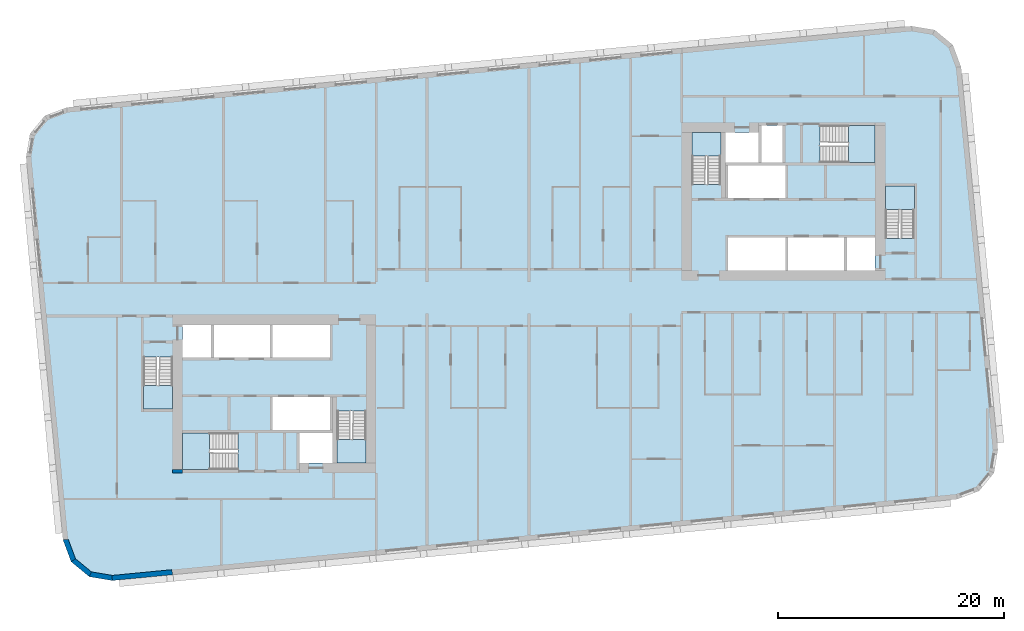
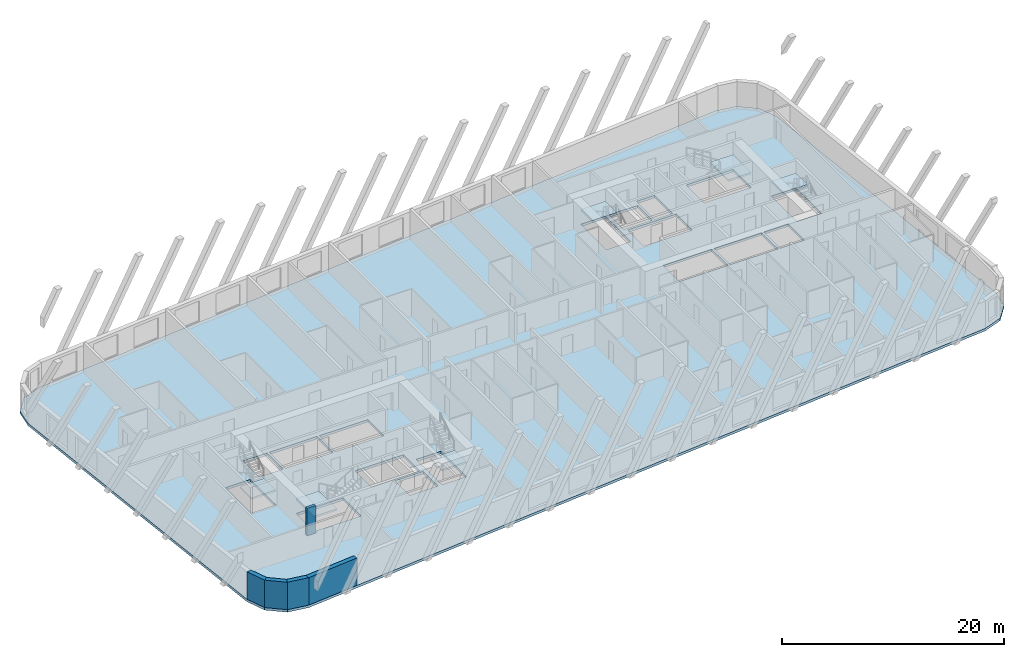
# One storey, part 1 of 13: 7 slabs, 5 walls, 6 elements without a shape of their own.
"""IFC4 building model written with IfcOpenShell, lengths in metres."""

from ifc_helpers import new_model, si_unit, direction, frame, frame_2d, origin, place, context, subcontext, project, spatial, polyline, rectangle, outline, extrude, material, layer, layer_set, type_object, element, aggregate, save


model = new_model("IFC4")

# Units and contexts
model_context = context("Model", 3, precision=1e-05, world=origin(), true_north=direction((0.0, 1.0)))
body_context = subcontext(model_context, "Body", "Model", "MODEL_VIEW")
ifc_project = project(units=[si_unit("LENGTHUNIT", "METRE"), si_unit("AREAUNIT", "SQUARE_METRE"), si_unit("VOLUMEUNIT", "CUBIC_METRE"), si_unit("PLANEANGLEUNIT", "RADIAN"), si_unit("MASSUNIT", "GRAM", prefix="KILO")], contexts=[model_context])

# Site, building, storey
site_placement = place(None, origin())
site = spatial("IfcSite", under=ifc_project, at=site_placement, CompositionType="ELEMENT")
building_placement = place(site_placement, origin())
building = spatial("IfcBuilding", under=site, at=building_placement, Name="Kajstack Hotel Tower", CompositionType="ELEMENT")
storey_placement = place(building_placement, frame((0.0, 0.0, 196.60009765625)))
storey = spatial("IfcBuildingStorey", under=building, at=storey_placement, Name="L47", CompositionType="ELEMENT", Elevation=196.60009765625)

# Slab
ifc_material_1 = material(Name="Concrete C40/50", Category="concrete")
ifc_layer_1 = layer(ifc_material_1, 0.280029296875)
ifc_layer_set_1 = layer_set([ifc_layer_1], Name="RC slab 280 C40/50 guest")
slab_type_1 = type_object("IfcSlabType", Name="RC slab 280 C40/50 guest", PredefinedType="FLOOR", material=ifc_layer_set_1)
slab_1_placement = place(storey_placement, frame((0.0, 0.0, -0.280029296875)))
element("IfcSlab", 1, at=slab_1_placement, inside=storey, type_object=slab_type_1, Name="S-slab-L47", PredefinedType="FLOOR", context=body_context, shape_type="SweptSolid", body=[
    extrude(outline(polyline([(-44.438232421875, 12.444091796875), (-41.1796875, -21.3994140625), (-40.454345703125, -23.3388671875), (-38.856689453125, -24.65576171875), (-36.814697265625, -24.99755859375), (37.840087890625, -17.80908203125), (39.779541015625, -17.083984375), (41.0966796875, -15.486328125), (41.438232421875, -13.444091796875), (38.1796875, 20.3994140625), (37.454345703125, 22.3388671875), (35.856689453125, 23.65576171875), (33.814697265625, 23.99755859375), (-40.840087890625, 16.80908203125), (-42.779541015625, 16.083984375), (-44.0966796875, 14.486328125), (-44.438232421875, 12.444091796875)]), holes=[polyline([(-22.64990234375, -11.699951171875), (-22.64990234375, -8.800048828125), (-17.60009765625, -8.800048828125), (-17.60009765625, -11.699951171875), (-22.64990234375, -11.699951171875)]), polyline([(-27.85009765625, -5.300048828125), (-27.85009765625, -2.39990234375), (-22.89990234375, -2.39990234375), (-22.89990234375, -5.300048828125), (-27.85009765625, -5.300048828125)]), polyline([(-22.64990234375, -5.300048828125), (-22.64990234375, -2.39990234375), (-17.60009765625, -2.39990234375), (-17.60009765625, -5.300048828125), (-22.64990234375, -5.300048828125)]), polyline([(-20.300048828125, -14.60009765625), (-17.35009765625, -14.60009765625), (-17.35009765625, -11.949951171875), (-20.300048828125, -11.949951171875), (-20.300048828125, -14.60009765625)]), polyline([(-30.60009765625, -5.300048828125), (-28.10009765625, -5.300048828125), (-28.10009765625, -2.39990234375), (-30.60009765625, -2.39990234375), (-30.60009765625, -5.300048828125)]), polyline([(17.60009765625, 8.800048828125), (17.60009765625, 11.699951171875), (22.64990234375, 11.699951171875), (22.64990234375, 8.800048828125), (17.60009765625, 8.800048828125)]), polyline([(22.89990234375, 2.39990234375), (22.89990234375, 5.300048828125), (27.85009765625, 5.300048828125), (27.85009765625, 2.39990234375), (22.89990234375, 2.39990234375)]), polyline([(17.60009765625, 2.39990234375), (17.60009765625, 5.300048828125), (22.64990234375, 5.300048828125), (22.64990234375, 2.39990234375), (17.60009765625, 2.39990234375)]), polyline([(20.300048828125, 14.60009765625), (17.35009765625, 14.60009765625), (17.35009765625, 11.949951171875), (20.300048828125, 11.949951171875), (20.300048828125, 14.60009765625)]), polyline([(30.60009765625, 5.300048828125), (28.10009765625, 5.300048828125), (28.10009765625, 2.39990234375), (30.60009765625, 2.39990234375), (30.60009765625, 5.300048828125)]), polyline([(-34.050048828125, -9.85009765625), (-31.5, -9.85009765625), (-31.5, -5.25), (-34.050048828125, -5.25), (-34.050048828125, -9.85009765625)]), polyline([(-16.949951171875, -14.60009765625), (-14.39990234375, -14.60009765625), (-14.39990234375, -10.0), (-16.949951171875, -10.0), (-16.949951171875, -14.60009765625)]), polyline([(-30.60009765625, -15.199951171875), (-25.699951171875, -15.199951171875), (-25.699951171875, -11.949951171875), (-30.60009765625, -11.949951171875), (-30.60009765625, -15.199951171875)]), polyline([(34.050048828125, 9.85009765625), (31.5, 9.85009765625), (31.5, 5.25), (34.050048828125, 5.25), (34.050048828125, 9.85009765625)]), polyline([(16.949951171875, 14.60009765625), (14.39990234375, 14.60009765625), (14.39990234375, 10.0), (16.949951171875, 10.0), (16.949951171875, 14.60009765625)]), polyline([(30.60009765625, 15.199951171875), (25.699951171875, 15.199951171875), (25.699951171875, 11.949951171875), (30.60009765625, 11.949951171875), (30.60009765625, 15.199951171875)]), polyline([(22.425048828125, 15.199951171875), (22.425048828125, 11.949951171875), (20.550048828125, 11.949951171875), (20.550048828125, 15.199951171875), (22.425048828125, 15.199951171875)])]), origin(), (0.0, 0.0, 1.0), 0.280029296875),
])

# Stair, slab
stair_type_1 = type_object("IfcStairType", Name="Exit stair 1200", PredefinedType="HALF_TURN_STAIR", material=ifc_material_1)
stair_1_placement = place(storey_placement, origin())
stair_1 = element("IfcStair", 2, at=stair_1_placement, inside=storey, type_object=stair_type_1, Name="L47 stair W1", PredefinedType="HALF_TURN_STAIR")
ifc_layer_2 = layer(ifc_material_1, 0.199951171875)
ifc_layer_set_2 = layer_set([ifc_layer_2], Name="Stair landing 200")
slab_type_2 = type_object("IfcSlabType", Name="Stair landing 200", PredefinedType="LANDING", material=ifc_layer_set_2)
slab_2_placement = place(storey_placement, frame((0.0, 0.0, 1.449951171875)))
slab_2 = element("IfcSlab", 3, at=slab_2_placement, type_object=slab_type_2, Name="W1 landing 1", PredefinedType="LANDING", context=body_context, shape_type="SweptSolid", body=[
    extrude(outline(polyline([(-34.050048828125, -7.77001953125), (-34.050048828125, -9.85009765625), (-31.5, -9.85009765625), (-31.5, -7.77001953125), (-34.050048828125, -7.77001953125)])), origin(), (0.0, 0.0, 1.0), 0.199951171875),
])
aggregate(stair_1, [slab_2])

stair_2_placement = place(storey_placement, origin())
stair_2 = element("IfcStair", 4, at=stair_2_placement, inside=storey, type_object=stair_type_1, Name="L47 stair W2", PredefinedType="HALF_TURN_STAIR")
slab_3_placement = place(storey_placement, frame((0.0, 0.0, 1.449951171875)))
slab_3 = element("IfcSlab", 5, at=slab_3_placement, type_object=slab_type_2, Name="W2 landing 1", PredefinedType="LANDING", context=body_context, shape_type="SweptSolid", body=[
    extrude(outline(polyline([(-16.949951171875, -12.52001953125), (-16.949951171875, -14.60009765625), (-14.39990234375, -14.60009765625), (-14.39990234375, -12.52001953125), (-16.949951171875, -12.52001953125)])), origin(), (0.0, 0.0, 1.0), 0.199951171875),
])
aggregate(stair_2, [slab_3])

stair_type_2 = type_object("IfcStairType", Name="Exit stair 1500", PredefinedType="HALF_TURN_STAIR", material=ifc_material_1)
stair_3_placement = place(storey_placement, origin())
stair_3 = element("IfcStair", 6, at=stair_3_placement, inside=storey, type_object=stair_type_2, Name="L47 stair W3", PredefinedType="HALF_TURN_STAIR")
slab_4_placement = place(storey_placement, frame((0.0, 0.0, 1.449951171875)))
slab_4 = element("IfcSlab", 7, at=slab_4_placement, type_object=slab_type_2, Name="W3 landing 1", PredefinedType="LANDING", context=body_context, shape_type="SweptSolid", body=[
    extrude(outline(polyline([(-28.219970703125, -11.949951171875), (-30.60009765625, -11.949951171875), (-30.60009765625, -15.199951171875), (-28.219970703125, -15.199951171875), (-28.219970703125, -11.949951171875)])), origin(), (0.0, 0.0, 1.0), 0.199951171875),
])
aggregate(stair_3, [slab_4])

stair_4_placement = place(storey_placement, origin())
stair_4 = element("IfcStair", 8, at=stair_4_placement, inside=storey, type_object=stair_type_1, Name="L47 stair E1", PredefinedType="HALF_TURN_STAIR")
slab_5_placement = place(storey_placement, frame((0.0, 0.0, 1.449951171875)))
slab_5 = element("IfcSlab", 9, at=slab_5_placement, type_object=slab_type_2, Name="E1 landing 1", PredefinedType="LANDING", context=body_context, shape_type="SweptSolid", body=[
    extrude(outline(polyline([(34.050048828125, 7.77001953125), (34.050048828125, 9.85009765625), (31.5, 9.85009765625), (31.5, 7.77001953125), (34.050048828125, 7.77001953125)])), origin(), (0.0, 0.0, 1.0), 0.199951171875),
])
aggregate(stair_4, [slab_5])

stair_5_placement = place(storey_placement, origin())
stair_5 = element("IfcStair", 10, at=stair_5_placement, inside=storey, type_object=stair_type_1, Name="L47 stair E2", PredefinedType="HALF_TURN_STAIR")
slab_6_placement = place(storey_placement, frame((0.0, 0.0, 1.449951171875)))
slab_6 = element("IfcSlab", 11, at=slab_6_placement, type_object=slab_type_2, Name="E2 landing 1", PredefinedType="LANDING", context=body_context, shape_type="SweptSolid", body=[
    extrude(outline(polyline([(16.949951171875, 12.52001953125), (16.949951171875, 14.60009765625), (14.39990234375, 14.60009765625), (14.39990234375, 12.52001953125), (16.949951171875, 12.52001953125)])), origin(), (0.0, 0.0, 1.0), 0.199951171875),
])
aggregate(stair_5, [slab_6])

stair_6_placement = place(storey_placement, origin())
stair_6 = element("IfcStair", 12, at=stair_6_placement, inside=storey, type_object=stair_type_2, Name="L47 stair E3", PredefinedType="HALF_TURN_STAIR")
slab_7_placement = place(storey_placement, frame((0.0, 0.0, 1.449951171875)))
slab_7 = element("IfcSlab", 13, at=slab_7_placement, type_object=slab_type_2, Name="E3 landing 1", PredefinedType="LANDING", context=body_context, shape_type="SweptSolid", body=[
    extrude(outline(polyline([(28.219970703125, 11.949951171875), (30.60009765625, 11.949951171875), (30.60009765625, 15.199951171875), (28.219970703125, 15.199951171875), (28.219970703125, 11.949951171875)])), origin(), (0.0, 0.0, 1.0), 0.199951171875),
])
aggregate(stair_6, [slab_7])

# Walls
ifc_material_2 = material(Name="Concrete C60/75", Category="concrete")
ifc_layer_3 = layer(ifc_material_2, 0.89990234375)
ifc_layer_set_3 = layer_set([ifc_layer_3], Name="Core wall 900")
wall_type_1 = type_object("IfcWallType", Name="Core wall 900", PredefinedType="SHEAR", material=ifc_layer_set_3)
wall_1_placement = place(storey_placement, frame((-31.5, -15.35009765625, 0.0), z_axis=(0.0, 0.0, 1.0), x_axis=(1.0, 0.0, 0.0)))
element("IfcWall", 14, at=wall_1_placement, inside=storey, type_object=wall_type_1, Name="Core wall W RSW", PredefinedType="SHEAR", context=body_context, shape_type="SweptSolid", body=[
    extrude(rectangle(XDim=0.89990234375, YDim=0.300048828125, at=frame_2d((0.449951171875, 0.0))), origin(), (0.0, 0.0, 1.0), 3.02001953125),
])
ifc_material_3 = material(Name="Terracotta-faced brick masonry", Category="masonry")
ifc_layer_4 = layer(ifc_material_3, 0.449951171875)
ifc_layer_set_4 = layer_set([ifc_layer_4], Name="EW-TERRA")
wall_type_2 = type_object("IfcWallType", Name="EW-TERRA", PredefinedType="SOLIDWALL", material=ifc_layer_set_4)
wall_2_placement = place(storey_placement, frame((-40.96875, -21.320556640625, 0.0), z_axis=(0.0, 0.0, 1.0), x_axis=(0.350192909346, -0.936677599948, 0.0)))
element("IfcWall", 15, at=wall_2_placement, inside=storey, type_object=wall_type_2, Name="E-wall-L47-01-00", PredefinedType="SOLIDWALL", context=body_context, shape_type="SweptSolid", body=[
    extrude(outline(polyline([(0.0, -0.22509765625), (2.070556640625, -0.22509765625), (1.949951171875, 0.22509765625), (0.12060546875, 0.224853515625), (0.0, -0.22509765625)])), origin(), (0.0, 0.0, 1.0), 3.02001953125),
])
wall_3_placement = place(storey_placement, frame((-40.311279296875, -23.165283203125, 0.0), z_axis=(0.0, 0.0, 1.0), x_axis=(0.771651049663, -0.636046112757, 0.0)))
element("IfcWall", 16, at=wall_3_placement, inside=storey, type_object=wall_type_2, Name="E-wall-L47-02-00", PredefinedType="SOLIDWALL", context=body_context, shape_type="SweptSolid", body=[
    extrude(outline(polyline([(0.0, -0.224853515625), (2.0703125, -0.22509765625), (1.94970703125, 0.224853515625), (0.12060546875, 0.22509765625), (0.0, -0.224853515625)])), origin(), (0.0, 0.0, 1.0), 3.02001953125),
])
wall_4_placement = place(storey_placement, frame((-38.819580078125, -24.433837890625, 0.0), z_axis=(0.0, 0.0, 1.0), x_axis=(0.986278951104, -0.165087342366, 0.0)))
element("IfcWall", 17, at=wall_4_placement, inside=storey, type_object=wall_type_2, Name="E-wall-L47-03-00", PredefinedType="SOLIDWALL", context=body_context, shape_type="SweptSolid", body=[
    extrude(outline(polyline([(0.0, -0.22509765625), (2.070556640625, -0.224853515625), (1.949951171875, 0.22509765625), (0.12060546875, 0.224853515625), (0.0, -0.22509765625)])), origin(), (0.0, 0.0, 1.0), 3.02001953125),
])
wall_5_placement = place(storey_placement, frame((-36.836181640625, -24.7734375, 0.0), z_axis=(0.0, 0.0, 1.0), x_axis=(0.995396705659, 0.095840483948, 0.0)))
element("IfcWall", 18, at=wall_5_placement, inside=storey, type_object=wall_type_2, Name="E-wall-L47-04-00", PredefinedType="SOLIDWALL", context=body_context, shape_type="SweptSolid", body=[
    extrude(rectangle(XDim=5.33935546875, YDim=0.449951171875, at=frame_2d((2.669677734375, 0.0))), origin(), (0.0, 0.0, 1.0), 3.02001953125),
])

save(model, "model.ifc")
